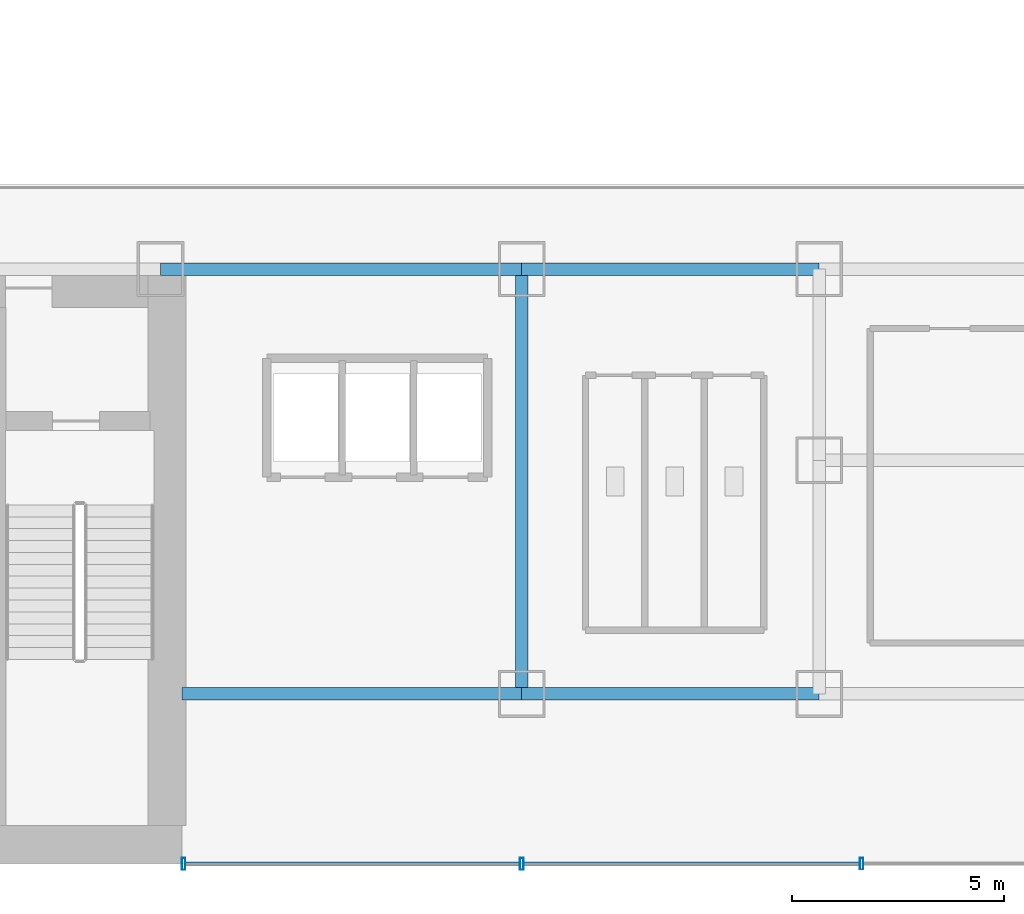
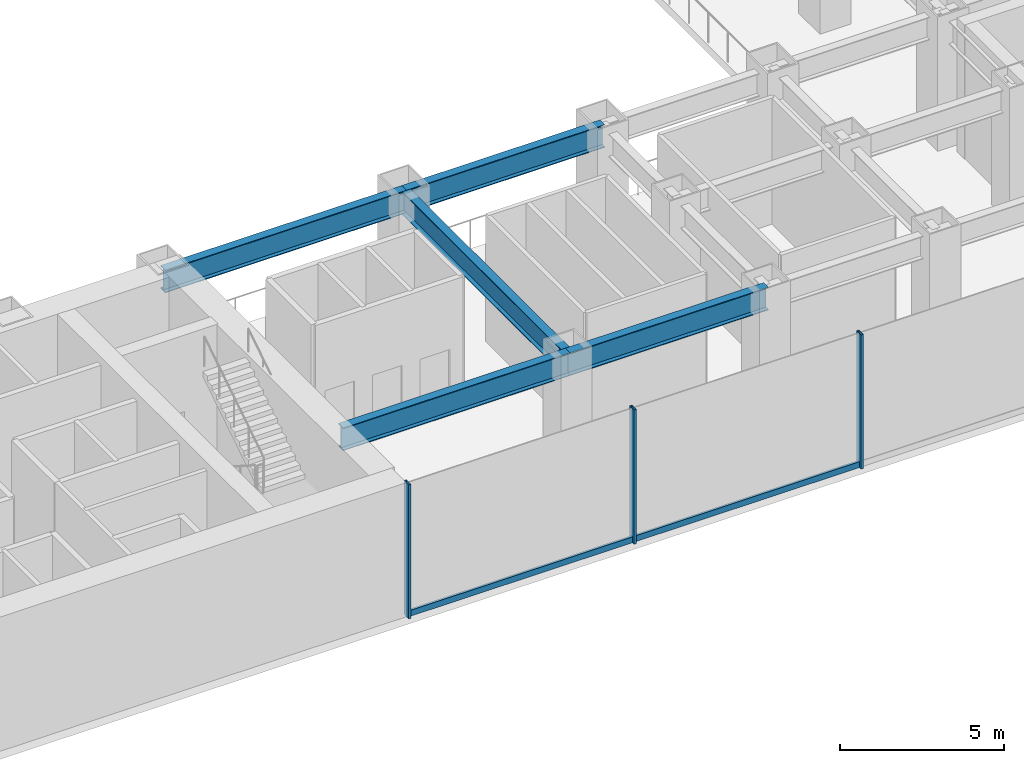
# One storey, part 9 of 39: 5 beams, 5 members, 1 element without a shape of its own.
"""IFC4 building model written with IfcOpenShell, lengths in metres."""

from ifc_helpers import new_model, si_unit, derived_unit, direction, frame, origin, origin_2d, place, context, subcontext, project, spatial, hollow_rectangle, i_section, extrude, source, transform, mapped, material, material_profile, profile_set, type_object, element, aggregate, save


model = new_model("IFC4")

# Units and contexts
model_context = context("Model", 3, precision=1e-05, world=origin(), true_north=direction((0.0, 1.0)))
body_context = subcontext(model_context, "Body", "Model", "MODEL_VIEW")
ifc_project = project(units=[si_unit("LENGTHUNIT", "METRE"), si_unit("AREAUNIT", "SQUARE_METRE"), si_unit("VOLUMEUNIT", "CUBIC_METRE"), si_unit("PLANEANGLEUNIT", "RADIAN"), si_unit("MASSUNIT", "GRAM", prefix="KILO"), derived_unit("THERMALTRANSMITTANCEUNIT", [(si_unit("POWERUNIT", "WATT"), 1), (si_unit("LENGTHUNIT", "METRE"), -2), (si_unit("THERMODYNAMICTEMPERATUREUNIT", "KELVIN"), -1)])], contexts=[model_context])

# Site, building, storey
site_placement = place(None, origin())
site = spatial("IfcSite", under=ifc_project, at=site_placement, CompositionType="ELEMENT")
building_placement = place(site_placement, origin())
building = spatial("IfcBuilding", under=site, at=building_placement, Name="Skarnbrae Concourse Arena and Tower", CompositionType="ELEMENT")
storey_placement = place(building_placement, frame((0.0, 0.0, 11.0)))
storey = spatial("IfcBuildingStorey", under=building, at=storey_placement, Name="L02", CompositionType="ELEMENT", Elevation=11.0)

# Beams
ifc_material_1 = material(Name="Steel CSA G40.21 350W", Category="steel")
ifc_material_profile_1 = material_profile(ifc_material_1, i_section(OverallWidth=0.2939453125, OverallDepth=0.85107421875, WebThickness=0.01611328125, FlangeThickness=0.02685546875, at=origin_2d()), Name="W840X226")
ifc_profile_set_1 = profile_set([ifc_material_profile_1], Name="Steel CSA G40.21 350W")
beam_type = type_object("IfcBeamType", Name="BM-GIRD-W840X226", PredefinedType="BEAM", material=ifc_profile_set_1)
shared_shape_1 = source(origin(), body_context, "Body", "SweptSolid", [
    extrude(i_section(OverallWidth=0.2939453125, OverallDepth=0.85107421875, WebThickness=0.01611328125, FlangeThickness=0.02685546875, at=origin_2d()), origin(), (0.0, 0.0, 1.0), 8.5),
])
beam_1_placement = place(storey_placement, frame((33.5, 14.0, 4.2744140625), z_axis=(1.0, 0.0, 0.0), x_axis=(0.0, 1.0, 0.0)))
element("IfcBeam", 1, at=beam_1_placement, inside=storey, type_object=beam_type, Name="L02 Podium south spine girder 6", PredefinedType="BEAM", context=body_context, shape_type="MappedRepresentation", body=[
    mapped(shared_shape_1, transform((0.0, 0.0, 0.0))),
])
shared_shape_2 = source(origin(), body_context, "Body", "SweptSolid", [
    extrude(i_section(OverallWidth=0.2939453125, OverallDepth=0.85107421875, WebThickness=0.01611328125, FlangeThickness=0.02685546875, at=origin_2d()), origin(), (0.0, 0.0, 1.0), 7.0),
])
for number, where, z_axis, x_axis, name in (
    (2, (42.0, 14.0, 4.2744140625), (1.0, 0.0, 0.0), (0.0, 1.0, 0.0), "L02 Podium south spine girder 7"),
    (3, (42.0, 4.0, 4.2744140625), (1.0, 0.0, 0.0), (0.0, 1.0, 0.0), "L02 South-east girder 2"),
):
    element("IfcBeam", number, at=place(storey_placement, frame(where, z_axis=z_axis, x_axis=x_axis)), inside=storey, type_object=beam_type, Name=name, PredefinedType="BEAM", context=body_context, shape_type="MappedRepresentation", body=[
        mapped(shared_shape_2, transform((0.0, 0.0, 0.0))),
    ])
shared_shape_3 = source(origin(), body_context, "Body", "SweptSolid", [
    extrude(i_section(OverallWidth=0.2939453125, OverallDepth=0.85107421875, WebThickness=0.01611328125, FlangeThickness=0.02685546875, at=origin_2d()), origin(), (0.0, 0.0, 1.0), 8.0),
])
beam_2_placement = place(storey_placement, frame((34.0, 4.0, 4.2744140625), z_axis=(1.0, 0.0, 0.0), x_axis=(0.0, 1.0, 0.0)))
element("IfcBeam", 4, at=beam_2_placement, inside=storey, type_object=beam_type, Name="L02 South-east girder 1", PredefinedType="BEAM", context=body_context, shape_type="MappedRepresentation", body=[
    mapped(shared_shape_3, transform((0.0, 0.0, 0.0))),
])
shared_shape_4 = source(origin(), body_context, "Body", "SweptSolid", [
    extrude(i_section(OverallWidth=0.2939453125, OverallDepth=0.85107421875, WebThickness=0.01611328125, FlangeThickness=0.02685546875, at=origin_2d()), origin(), (0.0, 0.0, 1.0), 10.0),
])
beam_3_placement = place(storey_placement, frame((42.0, 4.0, 4.2744140625), z_axis=(0.0, 1.0, 0.0), x_axis=(-1.0, 0.0, 0.0)))
element("IfcBeam", 5, at=beam_3_placement, inside=storey, type_object=beam_type, Name="L02 SE cross tie 42", PredefinedType="BEAM", context=body_context, shape_type="MappedRepresentation", body=[
    mapped(shared_shape_4, transform((0.0, 0.0, 0.0))),
])

# Curtain wall, members
ifc_material_2 = material(Name="Bronze anodised aluminium 6063-T6", Category="aluminium")
curtain_wall_type = type_object("IfcCurtainWallType", Name="CW-SYS-01-PODIUM", PredefinedType="USERDEFINED", material=ifc_material_2)
curtain_wall_placement = place(storey_placement, origin())
curtain_wall = element("IfcCurtainWall", 6, at=curtain_wall_placement, inside=storey, type_object=curtain_wall_type, Name="L02 Unitised curtain wall CW-L02-SE", ObjectType="UNITISED CURTAIN WALL", PredefinedType="USERDEFINED")
ifc_material_profile_2 = material_profile(ifc_material_2, hollow_rectangle(XDim=0.0849609375, YDim=0.280029296875, WallThickness=0.006103515625, at=origin_2d()), Name="ALU-MULL-85X280")
ifc_profile_set_2 = profile_set([ifc_material_profile_2], Name="Bronze anodised aluminium 6063-T6")
member_type_1 = type_object("IfcMemberType", Name="CWM-CW-01", PredefinedType="MULLION", material=ifc_profile_set_2)
shared_shape_5 = source(origin(), body_context, "Body", "SweptSolid", [
    extrude(hollow_rectangle(XDim=0.0849609375, YDim=0.280029296875, WallThickness=0.006103515625, at=origin_2d()), origin(), (0.0, 0.0, 1.0), 5.0),
])
member_1_placement = place(storey_placement, frame((34.04248046875, 0.0, 0.0), z_axis=(0.0, 0.0, 1.0), x_axis=(1.0, 0.0, 0.0)))
member_1 = element("IfcMember", 7, at=member_1_placement, type_object=member_type_1, Name="CW-L02-SE Mullion 1", PredefinedType="MULLION", context=body_context, shape_type="MappedRepresentation", body=[
    mapped(shared_shape_5, transform((0.0, 0.0, 0.0))),
])
member_2_placement = place(storey_placement, frame((42.0, 0.0, 0.0), z_axis=(0.0, 0.0, 1.0), x_axis=(1.0, 0.0, 0.0)))
member_2 = element("IfcMember", 8, at=member_2_placement, type_object=member_type_1, Name="CW-L02-SE Mullion 2", PredefinedType="MULLION", context=body_context, shape_type="MappedRepresentation", body=[
    mapped(shared_shape_5, transform((0.0, 0.0, 0.0))),
])
member_3_placement = place(storey_placement, frame((50.0, 0.0, 0.0), z_axis=(0.0, 0.0, 1.0), x_axis=(1.0, 0.0, 0.0)))
member_3 = element("IfcMember", 9, at=member_3_placement, type_object=member_type_1, Name="CW-L02-SE Mullion 3", PredefinedType="MULLION", context=body_context, shape_type="MappedRepresentation", body=[
    mapped(shared_shape_5, transform((0.0, 0.0, 0.0))),
])
ifc_material_profile_3 = material_profile(ifc_material_2, hollow_rectangle(XDim=0.0849609375, YDim=0.219970703125, WallThickness=0.006103515625, at=origin_2d()), Name="ALU-TRAN-85X220")
ifc_profile_set_3 = profile_set([ifc_material_profile_3], Name="Bronze anodised aluminium 6063-T6")
member_type_2 = type_object("IfcMemberType", Name="CWT-CW-01", PredefinedType="USERDEFINED", material=ifc_profile_set_3)
shared_shape_6 = source(origin(), body_context, "Body", "SweptSolid", [
    extrude(hollow_rectangle(XDim=0.0849609375, YDim=0.219970703125, WallThickness=0.006103515625, at=origin_2d()), origin(), (0.0, 0.0, 1.0), 7.87255859375),
])
member_4_placement = place(storey_placement, frame((34.0849609375, 0.0, 0.110107421875), z_axis=(1.0, 0.0, 0.0), x_axis=(0.0, 1.0, 0.0)))
member_4 = element("IfcMember", 10, at=member_4_placement, type_object=member_type_2, Name="CW-L02-SE Transom 1", ObjectType="TRANSOM", PredefinedType="USERDEFINED", context=body_context, shape_type="MappedRepresentation", body=[
    mapped(shared_shape_6, transform((0.0, 0.0, 0.0))),
])
shared_shape_7 = source(origin(), body_context, "Body", "SweptSolid", [
    extrude(hollow_rectangle(XDim=0.0849609375, YDim=0.219970703125, WallThickness=0.006103515625, at=origin_2d()), origin(), (0.0, 0.0, 1.0), 7.9150390625),
])
member_5_placement = place(storey_placement, frame((42.04248046875, 0.0, 0.110107421875), z_axis=(1.0, 0.0, 0.0), x_axis=(0.0, 1.0, 0.0)))
member_5 = element("IfcMember", 11, at=member_5_placement, type_object=member_type_2, Name="CW-L02-SE Transom 2", ObjectType="TRANSOM", PredefinedType="USERDEFINED", context=body_context, shape_type="MappedRepresentation", body=[
    mapped(shared_shape_7, transform((0.0, 0.0, 0.0))),
])
aggregate(curtain_wall, [member_1, member_2, member_3, member_4, member_5])

save(model, "model.ifc")
